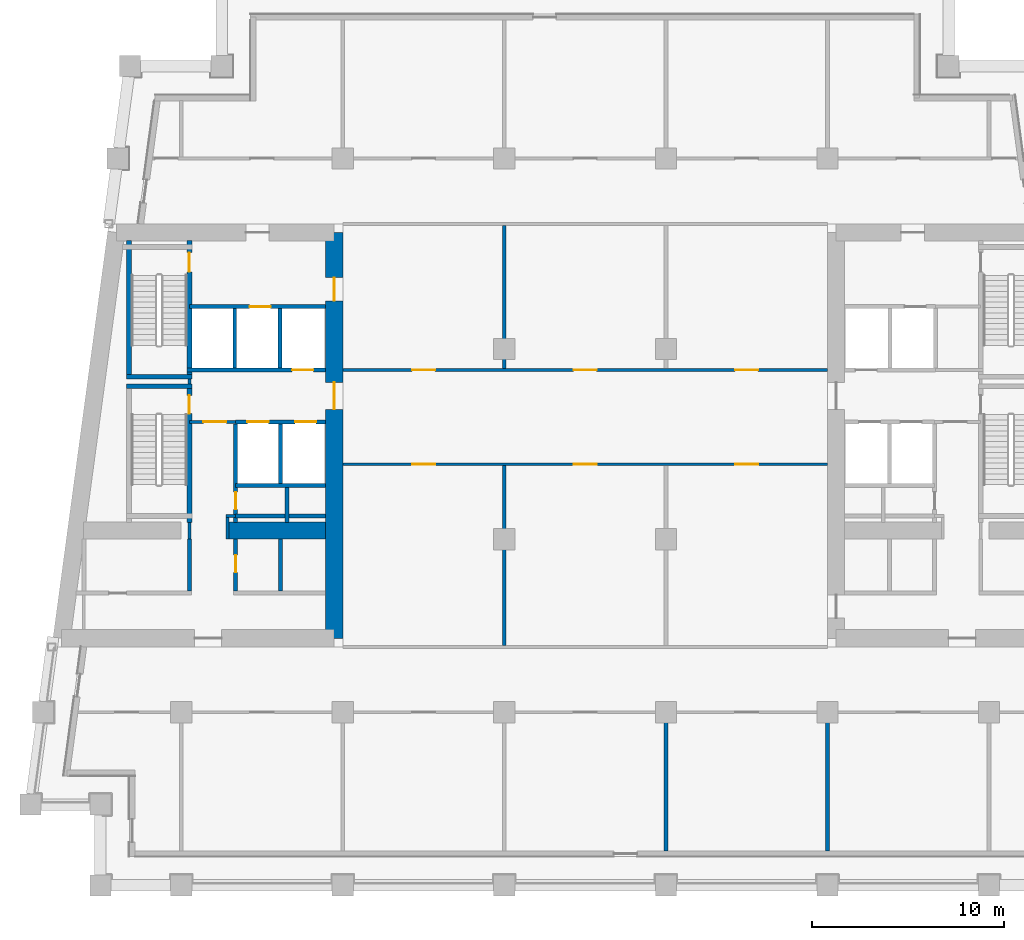
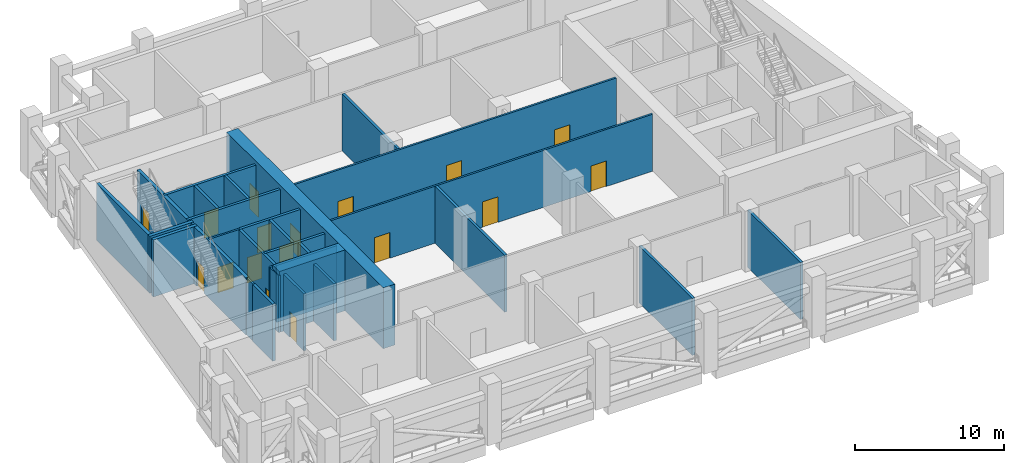
# One storey, part 5 of 12: 31 walls, 17 doors, 17 openings.
"""IFC4 building model written with IfcOpenShell, lengths in metres."""

from ifc_helpers import new_model, si_unit, direction, frame, frame_2d, origin, place, context, subcontext, project, spatial, rectangle, extrude, material, layer, layer_set, type_object, element, fill, save


model = new_model("IFC4")

# Units and contexts
model_context = context("Model", 3, precision=1e-05, world=origin(), true_north=direction((0.0, 1.0)))
body_context = subcontext(model_context, "Body", "Model", "MODEL_VIEW")
ifc_project = project(units=[si_unit("LENGTHUNIT", "METRE"), si_unit("AREAUNIT", "SQUARE_METRE"), si_unit("VOLUMEUNIT", "CUBIC_METRE"), si_unit("PLANEANGLEUNIT", "RADIAN"), si_unit("MASSUNIT", "GRAM", prefix="KILO")], contexts=[model_context])

# Site, building, storey
site_placement = place(None, origin())
site = spatial("IfcSite", under=ifc_project, at=site_placement, CompositionType="ELEMENT")
building_placement = place(site_placement, origin())
building = spatial("IfcBuilding", under=site, at=building_placement, Name="Candeia Pilgrim Tower and Theatre", CompositionType="ELEMENT")
storey_placement = place(building_placement, frame((0.0, 0.0, 197.199951171875)))
storey = spatial("IfcBuildingStorey", under=building, at=storey_placement, Name="L47", CompositionType="ELEMENT", Elevation=197.199951171875)

# Wall, openings, doors
ifc_material_1 = material(Name="Concrete C60/75", Category="concrete")
ifc_layer_1 = layer(ifc_material_1, 0.89990234375)
ifc_layer_set_1 = layer_set([ifc_layer_1], Name="Core wall 900 C60/75")
wall_type_1 = type_object("IfcWallType", Name="Core wall 900 C60/75", PredefinedType="SHEAR", material=ifc_layer_set_1)
wall_1_placement = place(storey_placement, frame((100.35009765625, 131.949951171875, 0.0), z_axis=(0.0, 0.0, 1.0), x_axis=(0.0, -1.0, 0.0)))
wall_1 = element("IfcWall", 1, at=wall_1_placement, inside=storey, type_object=wall_type_1, Name="Core wall W2", PredefinedType="SHEAR", context=body_context, shape_type="SweptSolid", body=[
    extrude(rectangle(XDim=21.099853515625, YDim=0.89990234375, at=frame_2d((10.5498046875, 0.0))), origin(), (0.0, 0.0, 1.0), 5.0),
])
opening_1_placement = place(wall_1_placement, frame((2.35009765625, 0.0, 0.0)))
opening_1 = element("IfcOpeningElement", 2, at=opening_1_placement, cuts=wall_1, Name="Opening L47-D032", PredefinedType="OPENING", context=body_context, shape_type="SweptSolid", body=[
    extrude(rectangle(XDim=1.199951171875, YDim=2.10009765625, at=frame_2d((0.60009765625, 1.050048828125))), frame((0.0, 0.4599609375, 0.0), z_axis=(0.0, -1.0, 0.0), x_axis=(1.0, 0.0, 0.0)), (0.0, 0.0, 1.0), 0.919921875),
])
opening_2_placement = place(wall_1_placement, frame((7.800048828125, 0.0, 0.0)))
opening_2 = element("IfcOpeningElement", 3, at=opening_2_placement, cuts=wall_1, Name="Opening L47-D036", PredefinedType="OPENING", context=body_context, shape_type="SweptSolid", body=[
    extrude(rectangle(XDim=1.39990234375, YDim=2.10009765625, at=frame_2d((0.699951171875, 1.050048828125))), frame((0.0, 0.4599609375, 0.0), z_axis=(0.0, -1.0, 0.0), x_axis=(1.0, 0.0, 0.0)), (0.0, 0.0, 1.0), 0.919921875),
])
ifc_material_2 = material(Name="Steel fire door set", Category="steel")
door_type_1 = type_object("IfcDoorType", Name="D-1200-FD60", OperationType="NOTDEFINED", PredefinedType="DOOR", material=ifc_material_2)
door_1_placement = place(opening_1_placement, origin())
door_1 = element("IfcDoor", 4, at=door_1_placement, inside=storey, type_object=door_type_1, Name="Door L47-D032", OperationType="SINGLE_SWING_LEFT", OverallHeight=2.10009765625, OverallWidth=1.199951171875, PredefinedType="DOOR", context=body_context, shape_type="SweptSolid", body=[
    extrude(rectangle(XDim=1.199951171875, YDim=2.10009765625, at=frame_2d((0.60009765625, 1.050048828125))), frame((0.0, 0.02490234375, 0.0), z_axis=(0.0, -1.0, 0.0), x_axis=(1.0, 0.0, 0.0)), (0.0, 0.0, 1.0), 0.050048828125),
])
fill(opening_1, door_1)
door_type_2 = type_object("IfcDoorType", Name="D-1400-FD60", OperationType="NOTDEFINED", PredefinedType="DOOR", material=ifc_material_2)
door_2_placement = place(opening_2_placement, origin())
door_2 = element("IfcDoor", 5, at=door_2_placement, inside=storey, type_object=door_type_2, Name="Door L47-D036", OperationType="SINGLE_SWING_LEFT", OverallHeight=2.10009765625, OverallWidth=1.39990234375, PredefinedType="DOOR", context=body_context, shape_type="SweptSolid", body=[
    extrude(rectangle(XDim=1.39990234375, YDim=2.10009765625, at=frame_2d((0.699951171875, 1.050048828125))), frame((0.0, 0.02490234375, 0.0), z_axis=(0.0, -1.0, 0.0), x_axis=(1.0, 0.0, 0.0)), (0.0, 0.0, 1.0), 0.050048828125),
])
fill(opening_2, door_2)

# Walls
wall_2_placement = place(storey_placement, frame((94.800048828125, 116.449951171875, 0.0), z_axis=(0.0, 0.0, 1.0), x_axis=(1.0, 0.0, 0.0)))
element("IfcWall", 6, at=wall_2_placement, inside=storey, type_object=wall_type_1, Name="Core wall W6", PredefinedType="SHEAR", context=body_context, shape_type="SweptSolid", body=[
    extrude(rectangle(XDim=5.099853515625, YDim=0.89990234375, at=frame_2d((2.5498046875, 0.0))), origin(), (0.0, 0.0, 1.0), 5.0),
])
ifc_material_3 = material(Name="Gypsum board partition on steel studs", Category="steel")
ifc_layer_2 = layer(ifc_material_3, 0.14990234375)
ifc_layer_set_2 = layer_set([ifc_layer_2], Name="PW-150 lobby wall")
wall_type_2 = type_object("IfcWallType", Name="PW-150 lobby wall", PredefinedType="PARTITIONING", material=ifc_layer_set_2)
wall_3_placement = place(storey_placement, frame((94.72509765625, 117.199951171875, 0.0), z_axis=(0.0, 0.0, 1.0), x_axis=(1.0, 0.0, 0.0)))
element("IfcWall", 7, at=wall_3_placement, inside=storey, type_object=wall_type_2, Name="Lobby wall L47-009", PredefinedType="PARTITIONING", context=body_context, shape_type="SweptSolid", body=[
    extrude(rectangle(XDim=0.501953125, YDim=0.14990234375, at=frame_2d((0.2509765625, 0.0))), origin(), (0.0, 0.0, 1.0), 4.679931640625),
])

# Wall, opening, door
wall_4_placement = place(storey_placement, frame((92.826904296875, 122.10009765625, 0.0), z_axis=(0.0, 0.0, 1.0), x_axis=(1.0, 0.0, 0.0)))
wall_4 = element("IfcWall", 8, at=wall_4_placement, inside=storey, type_object=wall_type_2, Name="Lobby wall L47-018", PredefinedType="PARTITIONING", context=body_context, shape_type="SweptSolid", body=[
    extrude(rectangle(XDim=2.400146484375, YDim=0.14990234375, at=frame_2d((1.2001953125, 0.0))), origin(), (0.0, 0.0, 1.0), 4.679931640625),
])
opening_3_placement = place(wall_4_placement, frame((0.72509765625, 0.0, 0.0)))
opening_3 = element("IfcOpeningElement", 9, at=opening_3_placement, cuts=wall_4, Name="Opening L47-D021", PredefinedType="OPENING", context=body_context, shape_type="SweptSolid", body=[
    extrude(rectangle(XDim=1.199951171875, YDim=2.10009765625, at=frame_2d((0.60009765625, 1.050048828125))), frame((0.0, 0.0849609375, 0.0), z_axis=(0.0, -1.0, 0.0), x_axis=(1.0, 0.0, 0.0)), (0.0, 0.0, 1.0), 0.169921875),
])
door_3_placement = place(opening_3_placement, origin())
door_3 = element("IfcDoor", 10, at=door_3_placement, inside=storey, type_object=door_type_1, Name="Door L47-D021", OperationType="SINGLE_SWING_RIGHT", OverallHeight=2.10009765625, OverallWidth=1.199951171875, PredefinedType="DOOR", context=body_context, shape_type="SweptSolid", body=[
    extrude(rectangle(XDim=1.199951171875, YDim=2.10009765625, at=frame_2d((0.60009765625, 1.050048828125))), frame((0.0, 0.02490234375, 0.0), z_axis=(0.0, -1.0, 0.0), x_axis=(1.0, 0.0, 0.0)), (0.0, 0.0, 1.0), 0.050048828125),
])
fill(opening_3, door_3)

# Walls
wall_5_placement = place(storey_placement, frame((92.826904296875, 116.0, 0.0), z_axis=(0.0, 0.0, 1.0), x_axis=(0.0, 1.0, 0.0)))
element("IfcWall", 11, at=wall_5_placement, inside=storey, type_object=wall_type_2, Name="Lobby wall L47-042", PredefinedType="PARTITIONING", context=body_context, shape_type="SweptSolid", body=[
    extrude(rectangle(XDim=0.8701171875, YDim=0.14990234375, at=frame_2d((0.43505859375, 0.0))), origin(), (0.0, 0.0, 1.0), 4.679931640625),
])
wall_6_placement = place(storey_placement, frame((92.826904296875, 124.074951171875, 0.0), z_axis=(0.0, 0.0, 1.0), x_axis=(0.0, 1.0, 0.0)))
element("IfcWall", 12, at=wall_6_placement, inside=storey, type_object=wall_type_2, Name="Lobby wall L47-043", PredefinedType="PARTITIONING", context=body_context, shape_type="SweptSolid", body=[
    extrude(rectangle(XDim=0.25, YDim=0.14990234375, at=frame_2d((0.125, 0.0))), origin(), (0.0, 0.0, 1.0), 4.679931640625),
])
wall_7_placement = place(storey_placement, frame((94.800048828125, 116.0, 0.0), z_axis=(0.0, 0.0, 1.0), x_axis=(0.0, 1.0, 0.0)))
element("IfcWall", 13, at=wall_7_placement, inside=storey, type_object=wall_type_2, Name="Lobby wall L47-046", PredefinedType="PARTITIONING", context=body_context, shape_type="SweptSolid", body=[
    extrude(rectangle(XDim=1.125, YDim=0.14990234375, at=frame_2d((0.5625, 0.0))), origin(), (0.0, 0.0, 1.0), 4.679931640625),
])

# Wall, openings, doors
ifc_layer_3 = layer(ifc_material_3, 0.14990234375)
ifc_layer_set_3 = layer_set([ifc_layer_3], Name="PW-150 unit wall")
wall_type_3 = type_object("IfcWallType", Name="PW-150 unit wall", PredefinedType="PARTITIONING", material=ifc_layer_set_3)
wall_8_placement = place(storey_placement, frame((100.800048828125, 119.89990234375, 0.0), z_axis=(0.0, 0.0, 1.0), x_axis=(1.0, 0.0, 0.0)))
wall_8 = element("IfcWall", 14, at=wall_8_placement, inside=storey, type_object=wall_type_3, Name="Unit wall L47-015", PredefinedType="PARTITIONING", context=body_context, shape_type="SweptSolid", body=[
    extrude(rectangle(XDim=25.199951171875, YDim=0.14990234375, at=frame_2d((12.60009765625, 0.0))), origin(), (0.0, 0.0, 1.0), 4.679931640625),
])
opening_4_placement = place(wall_8_placement, frame((3.60009765625, 0.0, 0.0)))
opening_4 = element("IfcOpeningElement", 15, at=opening_4_placement, cuts=wall_8, Name="Opening L47-D015", PredefinedType="OPENING", context=body_context, shape_type="SweptSolid", body=[
    extrude(rectangle(XDim=1.199951171875, YDim=2.10009765625, at=frame_2d((0.60009765625, 1.050048828125))), frame((0.0, 0.0849609375, 0.0), z_axis=(0.0, -1.0, 0.0), x_axis=(1.0, 0.0, 0.0)), (0.0, 0.0, 1.0), 0.169921875),
])
opening_5_placement = place(wall_8_placement, frame((12.0, 0.0, 0.0)))
opening_5 = element("IfcOpeningElement", 16, at=opening_5_placement, cuts=wall_8, Name="Opening L47-D017", PredefinedType="OPENING", context=body_context, shape_type="SweptSolid", body=[
    extrude(rectangle(XDim=1.199951171875, YDim=2.10009765625, at=frame_2d((0.60009765625, 1.050048828125))), frame((0.0, 0.0849609375, 0.0), z_axis=(0.0, -1.0, 0.0), x_axis=(1.0, 0.0, 0.0)), (0.0, 0.0, 1.0), 0.169921875),
])
opening_6_placement = place(wall_8_placement, frame((20.39990234375, 0.0, 0.0)))
opening_6 = element("IfcOpeningElement", 17, at=opening_6_placement, cuts=wall_8, Name="Opening L47-D019", PredefinedType="OPENING", context=body_context, shape_type="SweptSolid", body=[
    extrude(rectangle(XDim=1.199951171875, YDim=2.10009765625, at=frame_2d((0.60009765625, 1.050048828125))), frame((0.0, 0.0849609375, 0.0), z_axis=(0.0, -1.0, 0.0), x_axis=(1.0, 0.0, 0.0)), (0.0, 0.0, 1.0), 0.169921875),
])
door_4_placement = place(opening_4_placement, origin())
door_4 = element("IfcDoor", 18, at=door_4_placement, inside=storey, type_object=door_type_1, Name="Door L47-D015", OperationType="SINGLE_SWING_RIGHT", OverallHeight=2.10009765625, OverallWidth=1.199951171875, PredefinedType="DOOR", context=body_context, shape_type="SweptSolid", body=[
    extrude(rectangle(XDim=1.199951171875, YDim=2.10009765625, at=frame_2d((0.60009765625, 1.050048828125))), frame((0.0, 0.02490234375, 0.0), z_axis=(0.0, -1.0, 0.0), x_axis=(1.0, 0.0, 0.0)), (0.0, 0.0, 1.0), 0.050048828125),
])
fill(opening_4, door_4)
door_5_placement = place(opening_5_placement, origin())
door_5 = element("IfcDoor", 19, at=door_5_placement, inside=storey, type_object=door_type_1, Name="Door L47-D017", OperationType="SINGLE_SWING_RIGHT", OverallHeight=2.10009765625, OverallWidth=1.199951171875, PredefinedType="DOOR", context=body_context, shape_type="SweptSolid", body=[
    extrude(rectangle(XDim=1.199951171875, YDim=2.10009765625, at=frame_2d((0.60009765625, 1.050048828125))), frame((0.0, 0.02490234375, 0.0), z_axis=(0.0, -1.0, 0.0), x_axis=(1.0, 0.0, 0.0)), (0.0, 0.0, 1.0), 0.050048828125),
])
fill(opening_5, door_5)
door_6_placement = place(opening_6_placement, origin())
door_6 = element("IfcDoor", 20, at=door_6_placement, inside=storey, type_object=door_type_1, Name="Door L47-D019", OperationType="SINGLE_SWING_RIGHT", OverallHeight=2.10009765625, OverallWidth=1.199951171875, PredefinedType="DOOR", context=body_context, shape_type="SweptSolid", body=[
    extrude(rectangle(XDim=1.199951171875, YDim=2.10009765625, at=frame_2d((0.60009765625, 1.050048828125))), frame((0.0, 0.02490234375, 0.0), z_axis=(0.0, -1.0, 0.0), x_axis=(1.0, 0.0, 0.0)), (0.0, 0.0, 1.0), 0.050048828125),
])
fill(opening_6, door_6)

wall_9_placement = place(storey_placement, frame((100.800048828125, 124.800048828125, 0.0), z_axis=(0.0, 0.0, 1.0), x_axis=(1.0, 0.0, 0.0)))
wall_9 = element("IfcWall", 21, at=wall_9_placement, inside=storey, type_object=wall_type_3, Name="Unit wall L47-027", PredefinedType="PARTITIONING", context=body_context, shape_type="SweptSolid", body=[
    extrude(rectangle(XDim=25.199951171875, YDim=0.14990234375, at=frame_2d((12.60009765625, 0.0))), origin(), (0.0, 0.0, 1.0), 4.679931640625),
])
opening_7_placement = place(wall_9_placement, frame((3.60009765625, 0.0, 0.0)))
opening_7 = element("IfcOpeningElement", 22, at=opening_7_placement, cuts=wall_9, Name="Opening L47-D016", PredefinedType="OPENING", context=body_context, shape_type="SweptSolid", body=[
    extrude(rectangle(XDim=1.199951171875, YDim=2.10009765625, at=frame_2d((0.60009765625, 1.050048828125))), frame((0.0, 0.0849609375, 0.0), z_axis=(0.0, -1.0, 0.0), x_axis=(1.0, 0.0, 0.0)), (0.0, 0.0, 1.0), 0.169921875),
])
opening_8_placement = place(wall_9_placement, frame((12.0, 0.0, 0.0)))
opening_8 = element("IfcOpeningElement", 23, at=opening_8_placement, cuts=wall_9, Name="Opening L47-D018", PredefinedType="OPENING", context=body_context, shape_type="SweptSolid", body=[
    extrude(rectangle(XDim=1.199951171875, YDim=2.10009765625, at=frame_2d((0.60009765625, 1.050048828125))), frame((0.0, 0.0849609375, 0.0), z_axis=(0.0, -1.0, 0.0), x_axis=(1.0, 0.0, 0.0)), (0.0, 0.0, 1.0), 0.169921875),
])
opening_9_placement = place(wall_9_placement, frame((20.39990234375, 0.0, 0.0)))
opening_9 = element("IfcOpeningElement", 24, at=opening_9_placement, cuts=wall_9, Name="Opening L47-D020", PredefinedType="OPENING", context=body_context, shape_type="SweptSolid", body=[
    extrude(rectangle(XDim=1.199951171875, YDim=2.10009765625, at=frame_2d((0.60009765625, 1.050048828125))), frame((0.0, 0.0849609375, 0.0), z_axis=(0.0, -1.0, 0.0), x_axis=(1.0, 0.0, 0.0)), (0.0, 0.0, 1.0), 0.169921875),
])
door_7_placement = place(opening_7_placement, origin())
door_7 = element("IfcDoor", 25, at=door_7_placement, inside=storey, type_object=door_type_1, Name="Door L47-D016", OperationType="SINGLE_SWING_LEFT", OverallHeight=2.10009765625, OverallWidth=1.199951171875, PredefinedType="DOOR", context=body_context, shape_type="SweptSolid", body=[
    extrude(rectangle(XDim=1.199951171875, YDim=2.10009765625, at=frame_2d((0.60009765625, 1.050048828125))), frame((0.0, 0.02490234375, 0.0), z_axis=(0.0, -1.0, 0.0), x_axis=(1.0, 0.0, 0.0)), (0.0, 0.0, 1.0), 0.050048828125),
])
fill(opening_7, door_7)
door_8_placement = place(opening_8_placement, origin())
door_8 = element("IfcDoor", 26, at=door_8_placement, inside=storey, type_object=door_type_1, Name="Door L47-D018", OperationType="SINGLE_SWING_LEFT", OverallHeight=2.10009765625, OverallWidth=1.199951171875, PredefinedType="DOOR", context=body_context, shape_type="SweptSolid", body=[
    extrude(rectangle(XDim=1.199951171875, YDim=2.10009765625, at=frame_2d((0.60009765625, 1.050048828125))), frame((0.0, 0.02490234375, 0.0), z_axis=(0.0, -1.0, 0.0), x_axis=(1.0, 0.0, 0.0)), (0.0, 0.0, 1.0), 0.050048828125),
])
fill(opening_8, door_8)
door_9_placement = place(opening_9_placement, origin())
door_9 = element("IfcDoor", 27, at=door_9_placement, inside=storey, type_object=door_type_1, Name="Door L47-D020", OperationType="SINGLE_SWING_LEFT", OverallHeight=2.10009765625, OverallWidth=1.199951171875, PredefinedType="DOOR", context=body_context, shape_type="SweptSolid", body=[
    extrude(rectangle(XDim=1.199951171875, YDim=2.10009765625, at=frame_2d((0.60009765625, 1.050048828125))), frame((0.0, 0.02490234375, 0.0), z_axis=(0.0, -1.0, 0.0), x_axis=(1.0, 0.0, 0.0)), (0.0, 0.0, 1.0), 0.050048828125),
])
fill(opening_9, door_9)

# Walls
ifc_layer_4 = layer(ifc_material_3, 0.199951171875)
ifc_layer_set_4 = layer_set([ifc_layer_4], Name="PW-200 party wall")
wall_type_4 = type_object("IfcWallType", Name="PW-200 party wall", PredefinedType="PARTITIONING", material=ifc_layer_set_4)
wall_10_placement = place(storey_placement, frame((109.199951171875, 110.47509765625, 0.0), z_axis=(0.0, 0.0, 1.0), x_axis=(0.0, 1.0, 0.0)))
element("IfcWall", 28, at=wall_10_placement, inside=storey, type_object=wall_type_4, Name="Party wall L47-057", PredefinedType="PARTITIONING", context=body_context, shape_type="SweptSolid", body=[
    extrude(rectangle(XDim=9.349853515625, YDim=0.199951171875, at=frame_2d((4.6748046875, 0.0))), origin(), (0.0, 0.0, 1.0), 4.679931640625),
])
wall_11_placement = place(storey_placement, frame((109.199951171875, 124.875, 0.0), z_axis=(0.0, 0.0, 1.0), x_axis=(0.0, 1.0, 0.0)))
element("IfcWall", 29, at=wall_11_placement, inside=storey, type_object=wall_type_4, Name="Party wall L47-058", PredefinedType="PARTITIONING", context=body_context, shape_type="SweptSolid", body=[
    extrude(rectangle(XDim=7.449951171875, YDim=0.199951171875, at=frame_2d((3.72509765625, 0.0))), origin(), (0.0, 0.0, 1.0), 4.679931640625),
])
for number, where, z_axis, x_axis, name in (
    (30, (117.60009765625, 99.7900390625, 0.0), (0.0, 0.0, 1.0), (0.0, 1.0, 0.0), "Party wall L47-060"),
    (31, (126.0, 99.7900390625, 0.0), (0.0, 0.0, 1.0), (0.0, 1.0, 0.0), "Party wall L47-064"),
):
    element("IfcWall", number, at=place(storey_placement, frame(where, z_axis=z_axis, x_axis=x_axis)), inside=storey, type_object=wall_type_4, Name=name, PredefinedType="PARTITIONING", context=body_context, shape_type="SweptSolid", body=[
        extrude(rectangle(XDim=7.135009765625, YDim=0.199951171875, at=frame_2d((3.5673828125, 0.0))), origin(), (0.0, 0.0, 1.0), 4.679931640625),
    ])
ifc_material_4 = material(Name="Concrete C40/50", Category="concrete")
ifc_layer_5 = layer(ifc_material_4, 0.199951171875)
ifc_layer_set_5 = layer_set([ifc_layer_5], Name="SW-200 shaft wall")
wall_type_5 = type_object("IfcWallType", Name="SW-200 shaft wall", PredefinedType="PARTITIONING", material=ifc_layer_set_5)
for number, where, z_axis, x_axis, name in (
    (32, (95.22705078125, 117.199951171875, 0.0), (0.0, 0.0, 1.0), (1.0, 0.0, 0.0), "Shaft wall L47-007"),
    (33, (95.22705078125, 118.800048828125, 0.0), (0.0, 0.0, 1.0), (1.0, 0.0, 0.0), "Shaft wall L47-013"),
):
    element("IfcWall", number, at=place(storey_placement, frame(where, z_axis=z_axis, x_axis=x_axis)), inside=storey, type_object=wall_type_5, Name=name, PredefinedType="PARTITIONING", context=body_context, shape_type="SweptSolid", body=[
        extrude(rectangle(XDim=4.6728515625, YDim=0.199951171875, at=frame_2d((2.33642578125, 0.0))), origin(), (0.0, 0.0, 1.0), 4.679931640625),
    ])

# Wall, openings, doors
wall_12_placement = place(storey_placement, frame((95.22705078125, 122.10009765625, 0.0), z_axis=(0.0, 0.0, 1.0), x_axis=(1.0, 0.0, 0.0)))
wall_12 = element("IfcWall", 34, at=wall_12_placement, inside=storey, type_object=wall_type_5, Name="Shaft wall L47-016", PredefinedType="PARTITIONING", context=body_context, shape_type="SweptSolid", body=[
    extrude(rectangle(XDim=4.6728515625, YDim=0.199951171875, at=frame_2d((2.33642578125, 0.0))), origin(), (0.0, 0.0, 1.0), 4.679931640625),
])
opening_10_placement = place(wall_12_placement, frame((0.617919921875, 0.0, 0.0)))
opening_10 = element("IfcOpeningElement", 35, at=opening_10_placement, cuts=wall_12, Name="Opening L47-LD01", PredefinedType="OPENING", context=body_context, shape_type="SweptSolid", body=[
    extrude(rectangle(XDim=1.10009765625, YDim=2.10009765625, at=frame_2d((0.550048828125, 1.050048828125))), frame((0.0, 0.10986328125, 0.0), z_axis=(0.0, -1.0, 0.0), x_axis=(1.0, 0.0, 0.0)), (0.0, 0.0, 1.0), 0.219970703125),
])
opening_11_placement = place(wall_12_placement, frame((3.089111328125, 0.0, 0.0)))
opening_11 = element("IfcOpeningElement", 36, at=opening_11_placement, cuts=wall_12, Name="Opening L47-LD02", PredefinedType="OPENING", context=body_context, shape_type="SweptSolid", body=[
    extrude(rectangle(XDim=1.10009765625, YDim=2.10009765625, at=frame_2d((0.550048828125, 1.050048828125))), frame((0.0, 0.10986328125, 0.0), z_axis=(0.0, -1.0, 0.0), x_axis=(1.0, 0.0, 0.0)), (0.0, 0.0, 1.0), 0.219970703125),
])
ifc_material_5 = material(Name="Glazed aluminium landing door", Category="aluminium")
door_type_3 = type_object("IfcDoorType", Name="LD-1100-EI120", OperationType="SLIDING_TO_LEFT", PredefinedType="DOOR", material=ifc_material_5)
door_10_placement = place(opening_10_placement, origin())
door_10 = element("IfcDoor", 37, at=door_10_placement, inside=storey, type_object=door_type_3, Name="Landing door 01 L47", OperationType="SLIDING_TO_LEFT", OverallHeight=2.10009765625, OverallWidth=1.10009765625, PredefinedType="DOOR", context=body_context, shape_type="SweptSolid", body=[
    extrude(rectangle(XDim=1.10009765625, YDim=2.10009765625, at=frame_2d((0.550048828125, 1.050048828125))), frame((0.0, 0.02490234375, 0.0), z_axis=(0.0, -1.0, 0.0), x_axis=(1.0, 0.0, 0.0)), (0.0, 0.0, 1.0), 0.050048828125),
])
fill(opening_10, door_10)
door_11_placement = place(opening_11_placement, origin())
door_11 = element("IfcDoor", 38, at=door_11_placement, inside=storey, type_object=door_type_3, Name="Landing door 02 L47", OperationType="SLIDING_TO_LEFT", OverallHeight=2.10009765625, OverallWidth=1.10009765625, PredefinedType="DOOR", context=body_context, shape_type="SweptSolid", body=[
    extrude(rectangle(XDim=1.10009765625, YDim=2.10009765625, at=frame_2d((0.550048828125, 1.050048828125))), frame((0.0, 0.02490234375, 0.0), z_axis=(0.0, -1.0, 0.0), x_axis=(1.0, 0.0, 0.0)), (0.0, 0.0, 1.0), 0.050048828125),
])
fill(opening_11, door_11)

# Wall, opening, door
wall_13_placement = place(storey_placement, frame((92.701904296875, 124.800048828125, 0.0), z_axis=(0.0, 0.0, 1.0), x_axis=(1.0, 0.0, 0.0)))
wall_13 = element("IfcWall", 39, at=wall_13_placement, inside=storey, type_object=wall_type_5, Name="Shaft wall L47-024", PredefinedType="PARTITIONING", context=body_context, shape_type="SweptSolid", body=[
    extrude(rectangle(XDim=7.197998046875, YDim=0.199951171875, at=frame_2d((3.59912109375, 0.0))), origin(), (0.0, 0.0, 1.0), 4.679931640625),
])
opening_12_placement = place(wall_13_placement, frame((5.468994140625, 0.0, 0.0)))
opening_12 = element("IfcOpeningElement", 40, at=opening_12_placement, cuts=wall_13, Name="Opening L47-LD04", PredefinedType="OPENING", context=body_context, shape_type="SweptSolid", body=[
    extrude(rectangle(XDim=1.10009765625, YDim=2.10009765625, at=frame_2d((0.550048828125, 1.050048828125))), frame((0.0, 0.10986328125, 0.0), z_axis=(0.0, -1.0, 0.0), x_axis=(1.0, 0.0, 0.0)), (0.0, 0.0, 1.0), 0.219970703125),
])
door_12_placement = place(opening_12_placement, origin())
door_12 = element("IfcDoor", 41, at=door_12_placement, inside=storey, type_object=door_type_3, Name="Landing door 04 L47", OperationType="SLIDING_TO_LEFT", OverallHeight=2.10009765625, OverallWidth=1.10009765625, PredefinedType="DOOR", context=body_context, shape_type="SweptSolid", body=[
    extrude(rectangle(XDim=1.10009765625, YDim=2.10009765625, at=frame_2d((0.550048828125, 1.050048828125))), frame((0.0, 0.02490234375, 0.0), z_axis=(0.0, -1.0, 0.0), x_axis=(1.0, 0.0, 0.0)), (0.0, 0.0, 1.0), 0.050048828125),
])
fill(opening_12, door_12)

wall_14_placement = place(storey_placement, frame((92.826904296875, 128.10009765625, 0.0), z_axis=(0.0, 0.0, 1.0), x_axis=(1.0, 0.0, 0.0)))
wall_14 = element("IfcWall", 42, at=wall_14_placement, inside=storey, type_object=wall_type_5, Name="Shaft wall L47-028", PredefinedType="PARTITIONING", context=body_context, shape_type="SweptSolid", body=[
    extrude(rectangle(XDim=7.072998046875, YDim=0.199951171875, at=frame_2d((3.53662109375, 0.0))), origin(), (0.0, 0.0, 1.0), 4.679931640625),
])
opening_13_placement = place(wall_14_placement, frame((3.1259765625, 0.0, 0.0)))
opening_13 = element("IfcOpeningElement", 43, at=opening_13_placement, cuts=wall_14, Name="Opening L47-LD03", PredefinedType="OPENING", context=body_context, shape_type="SweptSolid", body=[
    extrude(rectangle(XDim=1.10009765625, YDim=2.10009765625, at=frame_2d((0.550048828125, 1.050048828125))), frame((0.0, 0.10986328125, 0.0), z_axis=(0.0, -1.0, 0.0), x_axis=(1.0, 0.0, 0.0)), (0.0, 0.0, 1.0), 0.219970703125),
])
door_13_placement = place(opening_13_placement, origin())
door_13 = element("IfcDoor", 44, at=door_13_placement, inside=storey, type_object=door_type_3, Name="Landing door 03 L47", OperationType="SLIDING_TO_LEFT", OverallHeight=2.10009765625, OverallWidth=1.10009765625, PredefinedType="DOOR", context=body_context, shape_type="SweptSolid", body=[
    extrude(rectangle(XDim=1.10009765625, YDim=2.10009765625, at=frame_2d((0.550048828125, 1.050048828125))), frame((0.0, 0.02490234375, 0.0), z_axis=(0.0, -1.0, 0.0), x_axis=(1.0, 0.0, 0.0)), (0.0, 0.0, 1.0), 0.050048828125),
])
fill(opening_13, door_13)

# Walls
wall_15_placement = place(storey_placement, frame((92.826904296875, 113.300048828125, 0.0), z_axis=(0.0, 0.0, 1.0), x_axis=(0.0, 1.0, 0.0)))
element("IfcWall", 45, at=wall_15_placement, inside=storey, type_object=wall_type_5, Name="Shaft wall L47-041", PredefinedType="PARTITIONING", context=body_context, shape_type="SweptSolid", body=[
    extrude(rectangle(XDim=2.699951171875, YDim=0.199951171875, at=frame_2d((1.35009765625, 0.0))), origin(), (0.0, 0.0, 1.0), 4.679931640625),
])
wall_16_placement = place(storey_placement, frame((95.184814453125, 124.89990234375, 0.0), z_axis=(0.0, 0.0, 1.0), x_axis=(0.0, 1.0, 0.0)))
element("IfcWall", 46, at=wall_16_placement, inside=storey, type_object=wall_type_5, Name="Shaft wall L47-047", PredefinedType="PARTITIONING", context=body_context, shape_type="SweptSolid", body=[
    extrude(rectangle(XDim=3.10009765625, YDim=0.199951171875, at=frame_2d((1.550048828125, 0.0))), origin(), (0.0, 0.0, 1.0), 4.679931640625),
])

# Wall, opening, door
wall_17_placement = place(storey_placement, frame((95.22705078125, 113.300048828125, 0.0), z_axis=(0.0, 0.0, 1.0), x_axis=(0.0, 1.0, 0.0)))
wall_17 = element("IfcWall", 47, at=wall_17_placement, inside=storey, type_object=wall_type_5, Name="Shaft wall L47-048", PredefinedType="PARTITIONING", context=body_context, shape_type="SweptSolid", body=[
    extrude(rectangle(XDim=2.699951171875, YDim=0.199951171875, at=frame_2d((1.35009765625, 0.0))), origin(), (0.0, 0.0, 1.0), 4.679931640625),
])
opening_14_placement = place(wall_17_placement, frame((0.969970703125, 0.0, 0.0)))
opening_14 = element("IfcOpeningElement", 48, at=opening_14_placement, cuts=wall_17, Name="Opening L47-D026", PredefinedType="OPENING", context=body_context, shape_type="SweptSolid", body=[
    extrude(rectangle(XDim=0.89990234375, YDim=2.10009765625, at=frame_2d((0.449951171875, 1.050048828125))), frame((0.0, 0.10986328125, 0.0), z_axis=(0.0, -1.0, 0.0), x_axis=(1.0, 0.0, 0.0)), (0.0, 0.0, 1.0), 0.219970703125),
])
door_type_4 = type_object("IfcDoorType", Name="D-900-FD60", OperationType="NOTDEFINED", PredefinedType="DOOR", material=ifc_material_2)
door_14_placement = place(opening_14_placement, origin())
door_14 = element("IfcDoor", 49, at=door_14_placement, inside=storey, type_object=door_type_4, Name="Door L47-D026", OperationType="SINGLE_SWING_LEFT", OverallHeight=2.10009765625, OverallWidth=0.89990234375, PredefinedType="DOOR", context=body_context, shape_type="SweptSolid", body=[
    extrude(rectangle(XDim=0.89990234375, YDim=2.10009765625, at=frame_2d((0.449951171875, 1.050048828125))), frame((0.0, 0.02490234375, 0.0), z_axis=(0.0, -1.0, 0.0), x_axis=(1.0, 0.0, 0.0)), (0.0, 0.0, 1.0), 0.050048828125),
])
fill(opening_14, door_14)

wall_18_placement = place(storey_placement, frame((95.22705078125, 116.8701171875, 0.0), z_axis=(0.0, 0.0, 1.0), x_axis=(0.0, 1.0, 0.0)))
wall_18 = element("IfcWall", 50, at=wall_18_placement, inside=storey, type_object=wall_type_5, Name="Shaft wall L47-049", PredefinedType="PARTITIONING", context=body_context, shape_type="SweptSolid", body=[
    extrude(rectangle(XDim=5.1298828125, YDim=0.199951171875, at=frame_2d((2.56494140625, 0.0))), origin(), (0.0, 0.0, 1.0), 4.679931640625),
])
opening_15_placement = place(wall_18_placement, frame((0.679931640625, 0.0, 0.0)))
opening_15 = element("IfcOpeningElement", 51, at=opening_15_placement, cuts=wall_18, Name="Opening L47-D024", PredefinedType="OPENING", context=body_context, shape_type="SweptSolid", body=[
    extrude(rectangle(XDim=0.89990234375, YDim=2.10009765625, at=frame_2d((0.449951171875, 1.050048828125))), frame((0.0, 0.10986328125, 0.0), z_axis=(0.0, -1.0, 0.0), x_axis=(1.0, 0.0, 0.0)), (0.0, 0.0, 1.0), 0.219970703125),
])
door_15_placement = place(opening_15_placement, origin())
door_15 = element("IfcDoor", 52, at=door_15_placement, inside=storey, type_object=door_type_4, Name="Door L47-D024", OperationType="SINGLE_SWING_LEFT", OverallHeight=2.10009765625, OverallWidth=0.89990234375, PredefinedType="DOOR", context=body_context, shape_type="SweptSolid", body=[
    extrude(rectangle(XDim=0.89990234375, YDim=2.10009765625, at=frame_2d((0.449951171875, 1.050048828125))), frame((0.0, 0.02490234375, 0.0), z_axis=(0.0, -1.0, 0.0), x_axis=(1.0, 0.0, 0.0)), (0.0, 0.0, 1.0), 0.050048828125),
])
fill(opening_15, door_15)

# Walls
wall_19_placement = place(storey_placement, frame((97.542236328125, 124.89990234375, 0.0), z_axis=(0.0, 0.0, 1.0), x_axis=(0.0, 1.0, 0.0)))
element("IfcWall", 53, at=wall_19_placement, inside=storey, type_object=wall_type_5, Name="Shaft wall L47-050", PredefinedType="PARTITIONING", context=body_context, shape_type="SweptSolid", body=[
    extrude(rectangle(XDim=3.10009765625, YDim=0.199951171875, at=frame_2d((1.550048828125, 0.0))), origin(), (0.0, 0.0, 1.0), 4.679931640625),
])
wall_20_placement = place(storey_placement, frame((97.5634765625, 113.300048828125, 0.0), z_axis=(0.0, 0.0, 1.0), x_axis=(0.0, 1.0, 0.0)))
element("IfcWall", 54, at=wall_20_placement, inside=storey, type_object=wall_type_5, Name="Shaft wall L47-051", PredefinedType="PARTITIONING", context=body_context, shape_type="SweptSolid", body=[
    extrude(rectangle(XDim=2.699951171875, YDim=0.199951171875, at=frame_2d((1.35009765625, 0.0))), origin(), (0.0, 0.0, 1.0), 4.679931640625),
])
wall_21_placement = place(storey_placement, frame((97.5634765625, 118.89990234375, 0.0), z_axis=(0.0, 0.0, 1.0), x_axis=(0.0, 1.0, 0.0)))
element("IfcWall", 55, at=wall_21_placement, inside=storey, type_object=wall_type_5, Name="Shaft wall L47-052", PredefinedType="PARTITIONING", context=body_context, shape_type="SweptSolid", body=[
    extrude(rectangle(XDim=3.10009765625, YDim=0.199951171875, at=frame_2d((1.550048828125, 0.0))), origin(), (0.0, 0.0, 1.0), 4.679931640625),
])
wall_22_placement = place(storey_placement, frame((97.89990234375, 116.8701171875, 0.0), z_axis=(0.0, 0.0, 1.0), x_axis=(0.0, 1.0, 0.0)))
element("IfcWall", 56, at=wall_22_placement, inside=storey, type_object=wall_type_5, Name="Shaft wall L47-053", PredefinedType="PARTITIONING", context=body_context, shape_type="SweptSolid", body=[
    extrude(rectangle(XDim=1.829833984375, YDim=0.199951171875, at=frame_2d((0.9150390625, 0.0))), origin(), (0.0, 0.0, 1.0), 4.679931640625),
])
ifc_layer_6 = layer(ifc_material_4, 0.25)
ifc_layer_set_6 = layer_set([ifc_layer_6], Name="SW-250 stair wall")
wall_type_6 = type_object("IfcWallType", Name="SW-250 stair wall", PredefinedType="PARTITIONING", material=ifc_layer_set_6)
for number, where, z_axis, x_axis, name in (
    (57, (89.552001953125, 123.949951171875, 0.0), (0.0, 0.0, 1.0), (1.0, 0.0, 0.0), "Stair wall L47-020"),
    (58, (89.552001953125, 124.449951171875, 0.0), (0.0, 0.0, 1.0), (1.0, 0.0, 0.0), "Stair wall L47-022"),
):
    element("IfcWall", number, at=place(storey_placement, frame(where, z_axis=z_axis, x_axis=x_axis)), inside=storey, type_object=wall_type_6, Name=name, PredefinedType="PARTITIONING", context=body_context, shape_type="SweptSolid", body=[
        extrude(rectangle(XDim=3.39990234375, YDim=0.25, at=frame_2d((1.699951171875, 0.0))), origin(), (0.0, 0.0, 1.0), 4.679931640625),
    ])
wall_23_placement = place(storey_placement, frame((89.677001953125, 124.574951171875, 0.0), z_axis=(0.0, 0.0, 1.0), x_axis=(0.0, 1.0, 0.0)))
element("IfcWall", 59, at=wall_23_placement, inside=storey, type_object=wall_type_6, Name="Stair wall L47-038", PredefinedType="PARTITIONING", context=body_context, shape_type="SweptSolid", body=[
    extrude(rectangle(XDim=6.955078125, YDim=0.25, at=frame_2d((3.4775390625, 0.0))), origin(), (0.0, 0.0, 1.0), 4.679931640625),
])

# Wall, opening, door
wall_24_placement = place(storey_placement, frame((92.826904296875, 116.8701171875, 0.0), z_axis=(0.0, 0.0, 1.0), x_axis=(0.0, 1.0, 0.0)))
wall_24 = element("IfcWall", 60, at=wall_24_placement, inside=storey, type_object=wall_type_6, Name="Stair wall L47-044", PredefinedType="PARTITIONING", context=body_context, shape_type="SweptSolid", body=[
    extrude(rectangle(XDim=6.954833984375, YDim=0.25, at=frame_2d((3.4775390625, 0.0))), origin(), (0.0, 0.0, 1.0), 4.679931640625),
])
opening_16_placement = place(wall_24_placement, frame((5.655029296875, 0.0, 0.0)))
opening_16 = element("IfcOpeningElement", 61, at=opening_16_placement, cuts=wall_24, Name="Opening L47-D022", PredefinedType="OPENING", context=body_context, shape_type="SweptSolid", body=[
    extrude(rectangle(XDim=0.949951171875, YDim=2.10009765625, at=frame_2d((0.47509765625, 1.050048828125))), frame((0.0, 0.135009765625, 0.0), z_axis=(0.0, -1.0, 0.0), x_axis=(1.0, 0.0, 0.0)), (0.0, 0.0, 1.0), 0.27001953125),
])
door_type_5 = type_object("IfcDoorType", Name="D-950-FD60", OperationType="NOTDEFINED", PredefinedType="DOOR", material=ifc_material_2)
door_16_placement = place(opening_16_placement, origin())
door_16 = element("IfcDoor", 62, at=door_16_placement, inside=storey, type_object=door_type_5, Name="Door L47-D022", OperationType="SINGLE_SWING_LEFT", OverallHeight=2.10009765625, OverallWidth=0.949951171875, PredefinedType="DOOR", context=body_context, shape_type="SweptSolid", body=[
    extrude(rectangle(XDim=0.949951171875, YDim=2.10009765625, at=frame_2d((0.47509765625, 1.050048828125))), frame((0.0, 0.02490234375, 0.0), z_axis=(0.0, -1.0, 0.0), x_axis=(1.0, 0.0, 0.0)), (0.0, 0.0, 1.0), 0.050048828125),
])
fill(opening_16, door_16)

wall_25_placement = place(storey_placement, frame((92.826904296875, 124.574951171875, 0.0), z_axis=(0.0, 0.0, 1.0), x_axis=(0.0, 1.0, 0.0)))
wall_25 = element("IfcWall", 63, at=wall_25_placement, inside=storey, type_object=wall_type_6, Name="Stair wall L47-045", PredefinedType="PARTITIONING", context=body_context, shape_type="SweptSolid", body=[
    extrude(rectangle(XDim=6.955078125, YDim=0.25, at=frame_2d((3.4775390625, 0.0))), origin(), (0.0, 0.0, 1.0), 4.679931640625),
])
opening_17_placement = place(wall_25_placement, frame((5.324951171875, 0.0, 0.0)))
opening_17 = element("IfcOpeningElement", 64, at=opening_17_placement, cuts=wall_25, Name="Opening L47-D023", PredefinedType="OPENING", context=body_context, shape_type="SweptSolid", body=[
    extrude(rectangle(XDim=1.0, YDim=2.10009765625, at=frame_2d((0.5, 1.050048828125))), frame((0.0, 0.135009765625, 0.0), z_axis=(0.0, -1.0, 0.0), x_axis=(1.0, 0.0, 0.0)), (0.0, 0.0, 1.0), 0.27001953125),
])
door_type_6 = type_object("IfcDoorType", Name="D-1000-FD60", OperationType="NOTDEFINED", PredefinedType="DOOR", material=ifc_material_2)
door_17_placement = place(opening_17_placement, origin())
door_17 = element("IfcDoor", 65, at=door_17_placement, inside=storey, type_object=door_type_6, Name="Door L47-D023", OperationType="SINGLE_SWING_RIGHT", OverallHeight=2.10009765625, OverallWidth=1.0, PredefinedType="DOOR", context=body_context, shape_type="SweptSolid", body=[
    extrude(rectangle(XDim=1.0, YDim=2.10009765625, at=frame_2d((0.5, 1.050048828125))), frame((0.0, 0.02490234375, 0.0), z_axis=(0.0, -1.0, 0.0), x_axis=(1.0, 0.0, 0.0)), (0.0, 0.0, 1.0), 0.050048828125),
])
fill(opening_17, door_17)

save(model, "model.ifc")
